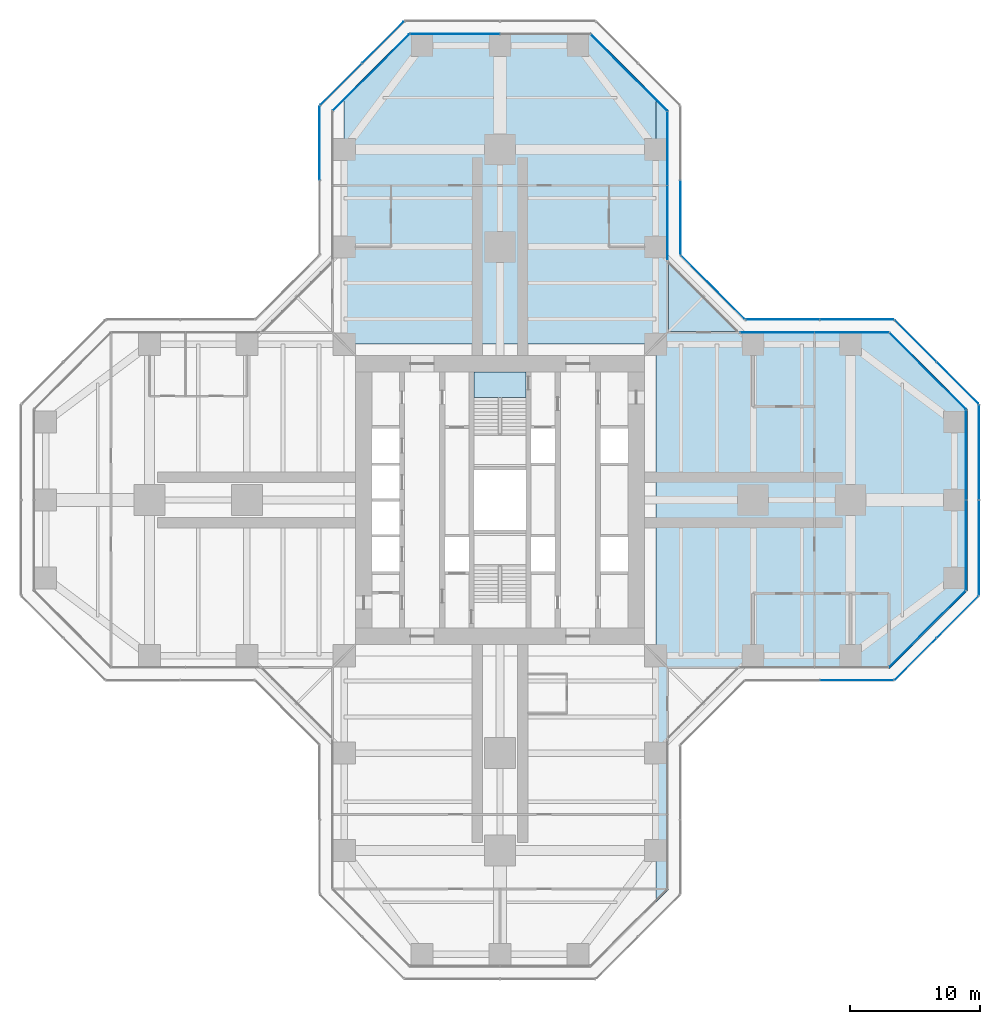
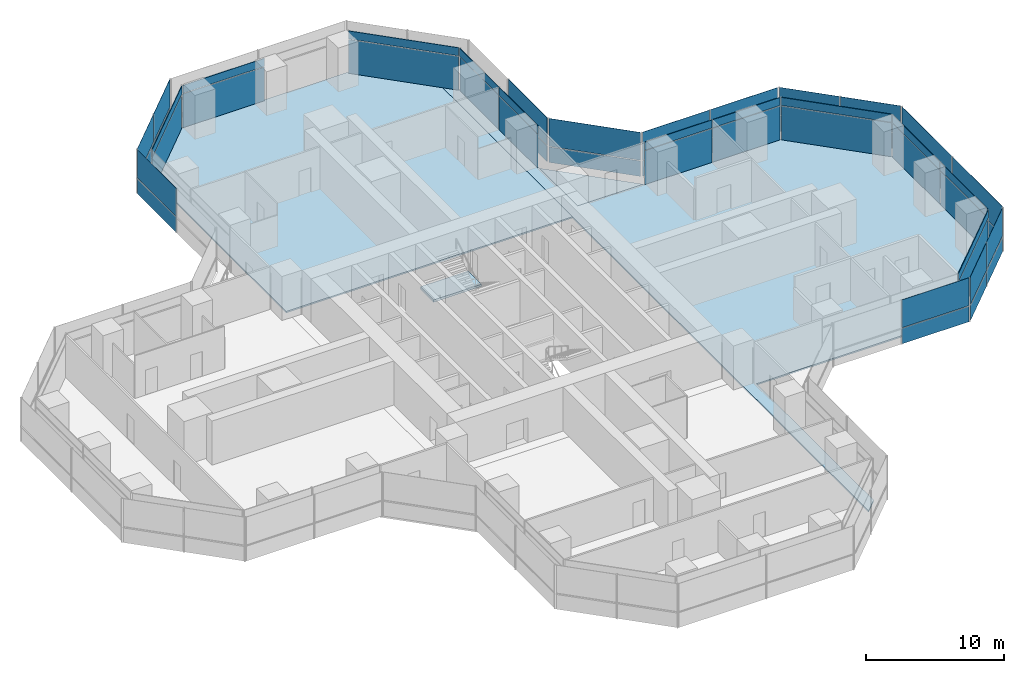
# One storey, part 16 of 22: 50 plates, 4 slabs, 18 elements without a shape of their own.
"""IFC4 building model written with IfcOpenShell, lengths in metres."""

from ifc_helpers import new_model, si_unit, direction, frame, origin, origin_2d, place, context, subcontext, project, spatial, polyline, rectangle, outline, extrude, material, layer, layer_set, type_object, element, aggregate, save


model = new_model("IFC4")

# Units and contexts
model_context = context("Model", 3, precision=1e-05, world=origin(), true_north=direction((0.0, 1.0)))
body_context = subcontext(model_context, "Body", "Model", "MODEL_VIEW")
ifc_project = project(units=[si_unit("LENGTHUNIT", "METRE"), si_unit("AREAUNIT", "SQUARE_METRE"), si_unit("VOLUMEUNIT", "CUBIC_METRE"), si_unit("PLANEANGLEUNIT", "RADIAN"), si_unit("MASSUNIT", "GRAM", prefix="KILO")], contexts=[model_context])

# Site, building, storey
site_placement = place(None, origin())
site = spatial("IfcSite", under=ifc_project, at=site_placement, CompositionType="ELEMENT")
building_placement = place(site_placement, origin())
building = spatial("IfcBuilding", under=site, at=building_placement, Name="Mizan Broadcast Tower", CompositionType="ELEMENT")
storey_placement = place(building_placement, frame((0.0, 0.0, 86.39990234375)))
storey = spatial("IfcBuildingStorey", under=building, at=storey_placement, Name="L18", CompositionType="ELEMENT", Elevation=86.39990234375)

# Slabs
ifc_material_1 = material(Name="Concrete C32/40", Category="concrete")
ifc_layer_1 = layer(ifc_material_1, 0.1298828125)
ifc_layer_set_1 = layer_set([ifc_layer_1], Name="Concrete C32/40")
slab_type_1 = type_object("IfcSlabType", Name="COMPOSITE DECK SLAB 130", PredefinedType="FLOOR", material=ifc_layer_set_1)
slab_1_placement = place(storey_placement, frame((0.0, 0.0, -0.1298828125)))
element("IfcSlab", 1, at=slab_1_placement, inside=storey, type_object=slab_type_1, Name="Floor slab L18 east arm", PredefinedType="FLOOR", context=body_context, shape_type="SweptSolid", body=[
    extrude(outline(polyline([(12.0, -31.0), (13.0, -30.0), (13.0, -13.0), (30.0, -13.0), (36.0, -7.0), (36.0, 7.0), (30.0, 13.0), (13.0, 13.0), (13.0, 30.0), (12.0, 31.0), (12.0, -31.0)])), origin(), (0.0, 0.0, 1.0), 0.1298828125),
])
slab_2_placement = place(storey_placement, frame((0.0, 0.0, -0.1298828125)))
element("IfcSlab", 2, at=slab_2_placement, inside=storey, type_object=slab_type_1, Name="Floor slab L18 north arm", PredefinedType="FLOOR", context=body_context, shape_type="SweptSolid", body=[
    extrude(outline(polyline([(-7.0, 36.0), (-12.0, 31.0), (-12.0, 12.0), (12.0, 12.0), (12.0, 31.0), (7.0, 36.0), (-7.0, 36.0)])), origin(), (0.0, 0.0, 1.0), 0.1298828125),
])

# Curtain wall, plate
ifc_material_2 = material(Name="Aluminium framed glazing", Category="aluminium")
curtain_wall_type_1 = type_object("IfcCurtainWallType", Name="INNER SKIN LOW ZONE", PredefinedType="USERDEFINED", material=ifc_material_2)
curtain_wall_1_placement = place(storey_placement, origin())
curtain_wall_1 = element("IfcCurtainWall", 3, at=curtain_wall_1_placement, inside=storey, type_object=curtain_wall_type_1, Name="Inner skin low zone L18 E chamfer", ObjectType="INNER SKIN LOW ZONE", PredefinedType="USERDEFINED")
ifc_material_3 = material(Name="Double glazing, clear low-e", Category="glass")
ifc_layer_2 = layer(ifc_material_3, 0.028076171875)
ifc_layer_set_2 = layer_set([ifc_layer_2], Name="Double glazing, clear low-e")
plate_type_1 = type_object("IfcPlateType", Name="INNER SKIN GLAZING UNIT", PredefinedType="CURTAIN_PANEL", material=ifc_layer_set_2)
plate_1_placement = place(storey_placement, frame((32.92919921875, -9.92919921875, 0.0), z_axis=(0.0, 0.0, 1.0), x_axis=(0.707106781187, 0.707106781187, 0.0)))
plate_1 = element("IfcPlate", 4, at=plate_1_placement, type_object=plate_type_1, Name="Inner skin low zone L18 E chamfer panel 1.1", PredefinedType="CURTAIN_PANEL", context=body_context, shape_type="SweptSolid", body=[
    extrude(rectangle(XDim=8.282470703125, YDim=0.028076171875, at=origin_2d()), origin(), (0.0, 0.0, 1.0), 3.0),
])

# Curtain wall, plates
curtain_wall_2_placement = place(storey_placement, origin())
curtain_wall_2 = element("IfcCurtainWall", 5, at=curtain_wall_2_placement, inside=storey, type_object=curtain_wall_type_1, Name="Inner skin low zone L18 E end", ObjectType="INNER SKIN LOW ZONE", PredefinedType="USERDEFINED")
plate_2_placement = place(storey_placement, frame((35.89990234375, -3.46435546875, 0.0), z_axis=(0.0, 0.0, 1.0), x_axis=(0.0, 1.0, 0.0)))
plate_2 = element("IfcPlate", 6, at=plate_2_placement, type_object=plate_type_1, Name="Inner skin low zone L18 E end panel 1.1", PredefinedType="CURTAIN_PANEL", context=body_context, shape_type="SweptSolid", body=[
    extrude(rectangle(XDim=6.86865234375, YDim=0.028076171875, at=origin_2d()), origin(), (0.0, 0.0, 1.0), 3.0),
])
plate_3_placement = place(storey_placement, frame((35.89990234375, 3.46435546875, 0.0), z_axis=(0.0, 0.0, 1.0), x_axis=(0.0, 1.0, 0.0)))
plate_3 = element("IfcPlate", 7, at=plate_3_placement, type_object=plate_type_1, Name="Inner skin low zone L18 E end panel 2.1", PredefinedType="CURTAIN_PANEL", context=body_context, shape_type="SweptSolid", body=[
    extrude(rectangle(XDim=6.86865234375, YDim=0.028076171875, at=origin_2d()), origin(), (0.0, 0.0, 1.0), 3.0),
])

# Curtain wall, plate
curtain_wall_3_placement = place(storey_placement, origin())
curtain_wall_3 = element("IfcCurtainWall", 8, at=curtain_wall_3_placement, inside=storey, type_object=curtain_wall_type_1, Name="Inner skin low zone L18 E chamfer", ObjectType="INNER SKIN LOW ZONE", PredefinedType="USERDEFINED")
plate_4_placement = place(storey_placement, frame((32.92919921875, 9.92919921875, 0.0), z_axis=(0.0, 0.0, 1.0), x_axis=(-0.707106781187, 0.707106781187, 0.0)))
plate_4 = element("IfcPlate", 9, at=plate_4_placement, type_object=plate_type_1, Name="Inner skin low zone L18 E chamfer panel 1.1", PredefinedType="CURTAIN_PANEL", context=body_context, shape_type="SweptSolid", body=[
    extrude(rectangle(XDim=8.282470703125, YDim=0.028076171875, at=origin_2d()), origin(), (0.0, 0.0, 1.0), 3.0),
])

# Curtain wall, plates
curtain_wall_4_placement = place(storey_placement, origin())
curtain_wall_4 = element("IfcCurtainWall", 10, at=curtain_wall_4_placement, inside=storey, type_object=curtain_wall_type_1, Name="Inner skin low zone L18 E side", ObjectType="INNER SKIN LOW ZONE", PredefinedType="USERDEFINED")
plate_5_placement = place(storey_placement, frame((27.078857421875, 12.89990234375, 0.0), z_axis=(0.0, 0.0, 1.0), x_axis=(-1.0, 0.0, 0.0)))
plate_5 = element("IfcPlate", 11, at=plate_5_placement, type_object=plate_type_1, Name="Inner skin low zone L18 E side panel 1.1", PredefinedType="CURTAIN_PANEL", context=body_context, shape_type="SweptSolid", body=[
    extrude(rectangle(XDim=5.639404296875, YDim=0.028076171875, at=origin_2d()), origin(), (0.0, 0.0, 1.0), 3.0),
])
plate_6_placement = place(storey_placement, frame((21.379638671875, 12.89990234375, 0.0), z_axis=(0.0, 0.0, 1.0), x_axis=(-1.0, 0.0, 0.0)))
plate_6 = element("IfcPlate", 12, at=plate_6_placement, type_object=plate_type_1, Name="Inner skin low zone L18 E side panel 2.1", PredefinedType="CURTAIN_PANEL", context=body_context, shape_type="SweptSolid", body=[
    extrude(rectangle(XDim=5.639404296875, YDim=0.028076171875, at=origin_2d()), origin(), (0.0, 0.0, 1.0), 3.0),
])

curtain_wall_5_placement = place(storey_placement, origin())
curtain_wall_5 = element("IfcCurtainWall", 13, at=curtain_wall_5_placement, inside=storey, type_object=curtain_wall_type_1, Name="Inner skin low zone L18 N side", ObjectType="INNER SKIN LOW ZONE", PredefinedType="USERDEFINED")
plate_7_placement = place(storey_placement, frame((12.89990234375, 21.379638671875, 0.0), z_axis=(0.0, 0.0, 1.0), x_axis=(0.0, 1.0, 0.0)))
plate_7 = element("IfcPlate", 14, at=plate_7_placement, type_object=plate_type_1, Name="Inner skin low zone L18 N side panel 1.1", PredefinedType="CURTAIN_PANEL", context=body_context, shape_type="SweptSolid", body=[
    extrude(rectangle(XDim=5.639404296875, YDim=0.028076171875, at=origin_2d()), origin(), (0.0, 0.0, 1.0), 3.0),
])
plate_8_placement = place(storey_placement, frame((12.89990234375, 27.078857421875, 0.0), z_axis=(0.0, 0.0, 1.0), x_axis=(0.0, 1.0, 0.0)))
plate_8 = element("IfcPlate", 15, at=plate_8_placement, type_object=plate_type_1, Name="Inner skin low zone L18 N side panel 2.1", PredefinedType="CURTAIN_PANEL", context=body_context, shape_type="SweptSolid", body=[
    extrude(rectangle(XDim=5.639404296875, YDim=0.028076171875, at=origin_2d()), origin(), (0.0, 0.0, 1.0), 3.0),
])

# Curtain wall, plate
curtain_wall_6_placement = place(storey_placement, origin())
curtain_wall_6 = element("IfcCurtainWall", 16, at=curtain_wall_6_placement, inside=storey, type_object=curtain_wall_type_1, Name="Inner skin low zone L18 N chamfer", ObjectType="INNER SKIN LOW ZONE", PredefinedType="USERDEFINED")
plate_9_placement = place(storey_placement, frame((9.92919921875, 32.92919921875, 0.0), z_axis=(0.0, 0.0, 1.0), x_axis=(-0.707106781187, 0.707106781187, 0.0)))
plate_9 = element("IfcPlate", 17, at=plate_9_placement, type_object=plate_type_1, Name="Inner skin low zone L18 N chamfer panel 1.1", PredefinedType="CURTAIN_PANEL", context=body_context, shape_type="SweptSolid", body=[
    extrude(rectangle(XDim=8.282470703125, YDim=0.028076171875, at=origin_2d()), origin(), (0.0, 0.0, 1.0), 3.0),
])

curtain_wall_7_placement = place(storey_placement, origin())
curtain_wall_7 = element("IfcCurtainWall", 18, at=curtain_wall_7_placement, inside=storey, type_object=curtain_wall_type_1, Name="Inner skin low zone L18 N end", ObjectType="INNER SKIN LOW ZONE", PredefinedType="USERDEFINED")
plate_10_placement = place(storey_placement, frame((-3.46435546875, 35.89990234375, 0.0), z_axis=(0.0, 0.0, 1.0), x_axis=(-1.0, 0.0, 0.0)))
plate_10 = element("IfcPlate", 19, at=plate_10_placement, type_object=plate_type_1, Name="Inner skin low zone L18 N end panel 2.1", PredefinedType="CURTAIN_PANEL", context=body_context, shape_type="SweptSolid", body=[
    extrude(rectangle(XDim=6.86865234375, YDim=0.028076171875, at=origin_2d()), origin(), (0.0, 0.0, 1.0), 3.0),
])

curtain_wall_8_placement = place(storey_placement, origin())
curtain_wall_8 = element("IfcCurtainWall", 20, at=curtain_wall_8_placement, inside=storey, type_object=curtain_wall_type_1, Name="Inner skin low zone L18 N chamfer", ObjectType="INNER SKIN LOW ZONE", PredefinedType="USERDEFINED")
plate_11_placement = place(storey_placement, frame((-9.92919921875, 32.92919921875, 0.0), z_axis=(0.0, 0.0, 1.0), x_axis=(-0.707106781187, -0.707106781187, 0.0)))
plate_11 = element("IfcPlate", 21, at=plate_11_placement, type_object=plate_type_1, Name="Inner skin low zone L18 N chamfer panel 1.1", PredefinedType="CURTAIN_PANEL", context=body_context, shape_type="SweptSolid", body=[
    extrude(rectangle(XDim=8.282470703125, YDim=0.028076171875, at=origin_2d()), origin(), (0.0, 0.0, 1.0), 3.0),
])

# Plate
ifc_material_4 = material(Name="Insulated aluminium spandrel panel, pale anodised", Category="aluminium")
ifc_layer_3 = layer(ifc_material_4, 0.050048828125)
ifc_layer_set_3 = layer_set([ifc_layer_3], Name="Insulated aluminium spandrel panel, pale anodised")
plate_type_2 = type_object("IfcPlateType", Name="INNER SKIN SPANDREL PANEL", PredefinedType="CURTAIN_PANEL", material=ifc_layer_set_3)
plate_12_placement = place(storey_placement, frame((32.92919921875, -9.92919921875, 3.06005859375), z_axis=(0.0, 0.0, 1.0), x_axis=(0.707106781187, 0.707106781187, 0.0)))
plate_12 = element("IfcPlate", 22, at=plate_12_placement, type_object=plate_type_2, Name="Inner skin low zone L18 E chamfer panel 1.2", PredefinedType="CURTAIN_PANEL", context=body_context, shape_type="SweptSolid", body=[
    extrude(rectangle(XDim=8.282470703125, YDim=0.050048828125, at=origin_2d()), origin(), (0.0, 0.0, 1.0), 0.7099609375),
])

aggregate(curtain_wall_1, [plate_1, plate_12])

plate_13_placement = place(storey_placement, frame((35.89990234375, -3.46435546875, 3.06005859375), z_axis=(0.0, 0.0, 1.0), x_axis=(0.0, 1.0, 0.0)))
plate_13 = element("IfcPlate", 23, at=plate_13_placement, type_object=plate_type_2, Name="Inner skin low zone L18 E end panel 1.2", PredefinedType="CURTAIN_PANEL", context=body_context, shape_type="SweptSolid", body=[
    extrude(rectangle(XDim=6.86865234375, YDim=0.050048828125, at=origin_2d()), origin(), (0.0, 0.0, 1.0), 0.7099609375),
])

plate_14_placement = place(storey_placement, frame((35.89990234375, 3.46435546875, 3.06005859375), z_axis=(0.0, 0.0, 1.0), x_axis=(0.0, 1.0, 0.0)))
plate_14 = element("IfcPlate", 24, at=plate_14_placement, type_object=plate_type_2, Name="Inner skin low zone L18 E end panel 2.2", PredefinedType="CURTAIN_PANEL", context=body_context, shape_type="SweptSolid", body=[
    extrude(rectangle(XDim=6.86865234375, YDim=0.050048828125, at=origin_2d()), origin(), (0.0, 0.0, 1.0), 0.7099609375),
])

aggregate(curtain_wall_2, [plate_2, plate_13, plate_3, plate_14])

plate_15_placement = place(storey_placement, frame((32.92919921875, 9.92919921875, 3.06005859375), z_axis=(0.0, 0.0, 1.0), x_axis=(-0.707106781187, 0.707106781187, 0.0)))
plate_15 = element("IfcPlate", 25, at=plate_15_placement, type_object=plate_type_2, Name="Inner skin low zone L18 E chamfer panel 1.2", PredefinedType="CURTAIN_PANEL", context=body_context, shape_type="SweptSolid", body=[
    extrude(rectangle(XDim=8.282470703125, YDim=0.050048828125, at=origin_2d()), origin(), (0.0, 0.0, 1.0), 0.7099609375),
])

aggregate(curtain_wall_3, [plate_4, plate_15])

plate_16_placement = place(storey_placement, frame((27.078857421875, 12.89990234375, 3.06005859375), z_axis=(0.0, 0.0, 1.0), x_axis=(-1.0, 0.0, 0.0)))
plate_16 = element("IfcPlate", 26, at=plate_16_placement, type_object=plate_type_2, Name="Inner skin low zone L18 E side panel 1.2", PredefinedType="CURTAIN_PANEL", context=body_context, shape_type="SweptSolid", body=[
    extrude(rectangle(XDim=5.639404296875, YDim=0.050048828125, at=origin_2d()), origin(), (0.0, 0.0, 1.0), 0.7099609375),
])

plate_17_placement = place(storey_placement, frame((21.379638671875, 12.89990234375, 3.06005859375), z_axis=(0.0, 0.0, 1.0), x_axis=(-1.0, 0.0, 0.0)))
plate_17 = element("IfcPlate", 27, at=plate_17_placement, type_object=plate_type_2, Name="Inner skin low zone L18 E side panel 2.2", PredefinedType="CURTAIN_PANEL", context=body_context, shape_type="SweptSolid", body=[
    extrude(rectangle(XDim=5.639404296875, YDim=0.050048828125, at=origin_2d()), origin(), (0.0, 0.0, 1.0), 0.7099609375),
])

aggregate(curtain_wall_4, [plate_5, plate_16, plate_6, plate_17])

plate_18_placement = place(storey_placement, frame((12.89990234375, 21.379638671875, 3.06005859375), z_axis=(0.0, 0.0, 1.0), x_axis=(0.0, 1.0, 0.0)))
plate_18 = element("IfcPlate", 28, at=plate_18_placement, type_object=plate_type_2, Name="Inner skin low zone L18 N side panel 1.2", PredefinedType="CURTAIN_PANEL", context=body_context, shape_type="SweptSolid", body=[
    extrude(rectangle(XDim=5.639404296875, YDim=0.050048828125, at=origin_2d()), origin(), (0.0, 0.0, 1.0), 0.7099609375),
])

plate_19_placement = place(storey_placement, frame((12.89990234375, 27.078857421875, 3.06005859375), z_axis=(0.0, 0.0, 1.0), x_axis=(0.0, 1.0, 0.0)))
plate_19 = element("IfcPlate", 29, at=plate_19_placement, type_object=plate_type_2, Name="Inner skin low zone L18 N side panel 2.2", PredefinedType="CURTAIN_PANEL", context=body_context, shape_type="SweptSolid", body=[
    extrude(rectangle(XDim=5.639404296875, YDim=0.050048828125, at=origin_2d()), origin(), (0.0, 0.0, 1.0), 0.7099609375),
])

aggregate(curtain_wall_5, [plate_7, plate_18, plate_8, plate_19])

plate_20_placement = place(storey_placement, frame((9.92919921875, 32.92919921875, 3.06005859375), z_axis=(0.0, 0.0, 1.0), x_axis=(-0.707106781187, 0.707106781187, 0.0)))
plate_20 = element("IfcPlate", 30, at=plate_20_placement, type_object=plate_type_2, Name="Inner skin low zone L18 N chamfer panel 1.2", PredefinedType="CURTAIN_PANEL", context=body_context, shape_type="SweptSolid", body=[
    extrude(rectangle(XDim=8.282470703125, YDim=0.050048828125, at=origin_2d()), origin(), (0.0, 0.0, 1.0), 0.7099609375),
])

aggregate(curtain_wall_6, [plate_9, plate_20])

plate_21_placement = place(storey_placement, frame((-3.46435546875, 35.89990234375, 3.06005859375), z_axis=(0.0, 0.0, 1.0), x_axis=(-1.0, 0.0, 0.0)))
plate_21 = element("IfcPlate", 31, at=plate_21_placement, type_object=plate_type_2, Name="Inner skin low zone L18 N end panel 2.2", PredefinedType="CURTAIN_PANEL", context=body_context, shape_type="SweptSolid", body=[
    extrude(rectangle(XDim=6.86865234375, YDim=0.050048828125, at=origin_2d()), origin(), (0.0, 0.0, 1.0), 0.7099609375),
])

aggregate(curtain_wall_7, [plate_10, plate_21])

plate_22_placement = place(storey_placement, frame((-9.92919921875, 32.92919921875, 3.06005859375), z_axis=(0.0, 0.0, 1.0), x_axis=(-0.707106781187, -0.707106781187, 0.0)))
plate_22 = element("IfcPlate", 32, at=plate_22_placement, type_object=plate_type_2, Name="Inner skin low zone L18 N chamfer panel 1.2", PredefinedType="CURTAIN_PANEL", context=body_context, shape_type="SweptSolid", body=[
    extrude(rectangle(XDim=8.282470703125, YDim=0.050048828125, at=origin_2d()), origin(), (0.0, 0.0, 1.0), 0.7099609375),
])

aggregate(curtain_wall_8, [plate_11, plate_22])

# Curtain wall, plates
ifc_material_5 = material(Name="Aluminium framed glazing", Category="aluminium")
curtain_wall_type_2 = type_object("IfcCurtainWallType", Name="OUTER SKIN", PredefinedType="USERDEFINED", material=ifc_material_5)
curtain_wall_9_placement = place(storey_placement, origin())
curtain_wall_9 = element("IfcCurtainWall", 33, at=curtain_wall_9_placement, inside=storey, type_object=curtain_wall_type_2, Name="Outer skin L18 E chamfer", ObjectType="OUTER SKIN", PredefinedType="USERDEFINED")
ifc_material_6 = material(Name="Laminated clear glass", Category="glass")
ifc_layer_4 = layer(ifc_material_6, 0.02001953125)
ifc_layer_set_4 = layer_set([ifc_layer_4], Name="Laminated clear glass")
plate_type_3 = type_object("IfcPlateType", Name="OUTER SKIN CLEAR GLASS", PredefinedType="CURTAIN_PANEL", material=ifc_layer_set_4)
plate_23_placement = place(storey_placement, frame((32.018798828125, -12.254150390625, 0.0), z_axis=(0.0, 0.0, 1.0), x_axis=(0.707106781187, 0.707106781187, 0.0)))
plate_23 = element("IfcPlate", 34, at=plate_23_placement, type_object=plate_type_3, Name="Outer skin L18 E chamfer panel 1.1", PredefinedType="CURTAIN_PANEL", context=body_context, shape_type="SweptSolid", body=[
    extrude(rectangle(XDim=4.495361328125, YDim=0.02001953125, at=origin_2d()), origin(), (0.0, 0.0, 1.0), 1.3701171875),
])
plate_24_placement = place(storey_placement, frame((32.018798828125, -12.254150390625, 1.43017578125), z_axis=(0.0, 0.0, 1.0), x_axis=(0.707106781187, 0.707106781187, 0.0)))
plate_24 = element("IfcPlate", 35, at=plate_24_placement, type_object=plate_type_3, Name="Outer skin L18 E chamfer panel 1.2", PredefinedType="CURTAIN_PANEL", context=body_context, shape_type="SweptSolid", body=[
    extrude(rectangle(XDim=4.495361328125, YDim=0.02001953125, at=origin_2d()), origin(), (0.0, 0.0, 1.0), 2.469970703125),
])

curtain_wall_10_placement = place(storey_placement, origin())
curtain_wall_10 = element("IfcCurtainWall", 36, at=curtain_wall_10_placement, inside=storey, type_object=curtain_wall_type_2, Name="Outer skin L18 E end", ObjectType="OUTER SKIN", PredefinedType="USERDEFINED")
plate_25_placement = place(storey_placement, frame((36.89990234375, -3.66650390625, 0.0), z_axis=(0.0, 0.0, 1.0), x_axis=(0.0, 1.0, 0.0)))
plate_25 = element("IfcPlate", 37, at=plate_25_placement, type_object=plate_type_3, Name="Outer skin L18 E end panel 1.1", PredefinedType="CURTAIN_PANEL", context=body_context, shape_type="SweptSolid", body=[
    extrude(rectangle(XDim=7.252685546875, YDim=0.02001953125, at=origin_2d()), origin(), (0.0, 0.0, 1.0), 1.3701171875),
])
plate_26_placement = place(storey_placement, frame((36.89990234375, -3.66650390625, 1.43017578125), z_axis=(0.0, 0.0, 1.0), x_axis=(0.0, 1.0, 0.0)))
plate_26 = element("IfcPlate", 38, at=plate_26_placement, type_object=plate_type_3, Name="Outer skin L18 E end panel 1.2", PredefinedType="CURTAIN_PANEL", context=body_context, shape_type="SweptSolid", body=[
    extrude(rectangle(XDim=7.252685546875, YDim=0.02001953125, at=origin_2d()), origin(), (0.0, 0.0, 1.0), 2.469970703125),
])

curtain_wall_11_placement = place(storey_placement, origin())
curtain_wall_11 = element("IfcCurtainWall", 39, at=curtain_wall_11_placement, inside=storey, type_object=curtain_wall_type_2, Name="Outer skin L18 E chamfer", ObjectType="OUTER SKIN", PredefinedType="USERDEFINED")
plate_27_placement = place(storey_placement, frame((35.254150390625, 9.018798828125, 0.0), z_axis=(0.0, 0.0, 1.0), x_axis=(-0.707106781187, 0.707106781187, 0.0)))
plate_27 = element("IfcPlate", 40, at=plate_27_placement, type_object=plate_type_3, Name="Outer skin L18 E chamfer panel 1.1", PredefinedType="CURTAIN_PANEL", context=body_context, shape_type="SweptSolid", body=[
    extrude(rectangle(XDim=4.495361328125, YDim=0.02001953125, at=origin_2d()), origin(), (0.0, 0.0, 1.0), 1.3701171875),
])
plate_28_placement = place(storey_placement, frame((35.254150390625, 9.018798828125, 1.43017578125), z_axis=(0.0, 0.0, 1.0), x_axis=(-0.707106781187, 0.707106781187, 0.0)))
plate_28 = element("IfcPlate", 41, at=plate_28_placement, type_object=plate_type_3, Name="Outer skin L18 E chamfer panel 1.2", PredefinedType="CURTAIN_PANEL", context=body_context, shape_type="SweptSolid", body=[
    extrude(rectangle(XDim=4.495361328125, YDim=0.02001953125, at=origin_2d()), origin(), (0.0, 0.0, 1.0), 2.469970703125),
])

curtain_wall_12_placement = place(storey_placement, origin())
curtain_wall_12 = element("IfcCurtainWall", 42, at=curtain_wall_12_placement, inside=storey, type_object=curtain_wall_type_2, Name="Outer skin L18 E side", ObjectType="OUTER SKIN", PredefinedType="USERDEFINED")
plate_29_placement = place(storey_placement, frame((27.477783203125, 13.89990234375, 0.0), z_axis=(0.0, 0.0, 1.0), x_axis=(-1.0, 0.0, 0.0)))
plate_29 = element("IfcPlate", 43, at=plate_29_placement, type_object=plate_type_3, Name="Outer skin L18 E side panel 1.1", PredefinedType="CURTAIN_PANEL", context=body_context, shape_type="SweptSolid", body=[
    extrude(rectangle(XDim=5.6298828125, YDim=0.02001953125, at=origin_2d()), origin(), (0.0, 0.0, 1.0), 1.3701171875),
])
plate_30_placement = place(storey_placement, frame((27.477783203125, 13.89990234375, 1.43017578125), z_axis=(0.0, 0.0, 1.0), x_axis=(-1.0, 0.0, 0.0)))
plate_30 = element("IfcPlate", 44, at=plate_30_placement, type_object=plate_type_3, Name="Outer skin L18 E side panel 1.2", PredefinedType="CURTAIN_PANEL", context=body_context, shape_type="SweptSolid", body=[
    extrude(rectangle(XDim=5.6298828125, YDim=0.02001953125, at=origin_2d()), origin(), (0.0, 0.0, 1.0), 2.469970703125),
])
plate_31_placement = place(storey_placement, frame((21.767822265625, 13.89990234375, 0.0), z_axis=(0.0, 0.0, 1.0), x_axis=(-1.0, 0.0, 0.0)))
plate_31 = element("IfcPlate", 45, at=plate_31_placement, type_object=plate_type_3, Name="Outer skin L18 E side panel 2.1", PredefinedType="CURTAIN_PANEL", context=body_context, shape_type="SweptSolid", body=[
    extrude(rectangle(XDim=5.6298828125, YDim=0.02001953125, at=origin_2d()), origin(), (0.0, 0.0, 1.0), 1.3701171875),
])
plate_32_placement = place(storey_placement, frame((21.767822265625, 13.89990234375, 1.43017578125), z_axis=(0.0, 0.0, 1.0), x_axis=(-1.0, 0.0, 0.0)))
plate_32 = element("IfcPlate", 46, at=plate_32_placement, type_object=plate_type_3, Name="Outer skin L18 E side panel 2.2", PredefinedType="CURTAIN_PANEL", context=body_context, shape_type="SweptSolid", body=[
    extrude(rectangle(XDim=5.6298828125, YDim=0.02001953125, at=origin_2d()), origin(), (0.0, 0.0, 1.0), 2.469970703125),
])
aggregate(curtain_wall_12, [plate_29, plate_30, plate_31, plate_32])

curtain_wall_13_placement = place(storey_placement, origin())
curtain_wall_13 = element("IfcCurtainWall", 47, at=curtain_wall_13_placement, inside=storey, type_object=curtain_wall_type_2, Name="Outer skin L18 E chamfer", ObjectType="OUTER SKIN", PredefinedType="USERDEFINED")
plate_33_placement = place(storey_placement, frame((16.386474609375, 16.386474609375, 0.0), z_axis=(0.0, 0.0, 1.0), x_axis=(-0.707106781187, 0.707106781187, 0.0)))
plate_33 = element("IfcPlate", 48, at=plate_33_placement, type_object=plate_type_3, Name="Outer skin L18 E chamfer panel 1.1", PredefinedType="CURTAIN_PANEL", context=body_context, shape_type="SweptSolid", body=[
    extrude(rectangle(XDim=6.87255859375, YDim=0.02001953125, at=origin_2d()), origin(), (0.0, 0.0, 1.0), 1.3701171875),
])
plate_34_placement = place(storey_placement, frame((16.386474609375, 16.386474609375, 1.43017578125), z_axis=(0.0, 0.0, 1.0), x_axis=(-0.707106781187, 0.707106781187, 0.0)))
plate_34 = element("IfcPlate", 49, at=plate_34_placement, type_object=plate_type_3, Name="Outer skin L18 E chamfer panel 1.2", PredefinedType="CURTAIN_PANEL", context=body_context, shape_type="SweptSolid", body=[
    extrude(rectangle(XDim=6.87255859375, YDim=0.02001953125, at=origin_2d()), origin(), (0.0, 0.0, 1.0), 2.469970703125),
])
aggregate(curtain_wall_13, [plate_33, plate_34])

curtain_wall_14_placement = place(storey_placement, origin())
curtain_wall_14 = element("IfcCurtainWall", 50, at=curtain_wall_14_placement, inside=storey, type_object=curtain_wall_type_2, Name="Outer skin L18 N side", ObjectType="OUTER SKIN", PredefinedType="USERDEFINED")
plate_35_placement = place(storey_placement, frame((13.89990234375, 21.767822265625, 0.0), z_axis=(0.0, 0.0, 1.0), x_axis=(0.0, 1.0, 0.0)))
plate_35 = element("IfcPlate", 51, at=plate_35_placement, type_object=plate_type_3, Name="Outer skin L18 N side panel 1.1", PredefinedType="CURTAIN_PANEL", context=body_context, shape_type="SweptSolid", body=[
    extrude(rectangle(XDim=5.6298828125, YDim=0.02001953125, at=origin_2d()), origin(), (0.0, 0.0, 1.0), 1.3701171875),
])
plate_36_placement = place(storey_placement, frame((13.89990234375, 21.767822265625, 1.43017578125), z_axis=(0.0, 0.0, 1.0), x_axis=(0.0, 1.0, 0.0)))
plate_36 = element("IfcPlate", 52, at=plate_36_placement, type_object=plate_type_3, Name="Outer skin L18 N side panel 1.2", PredefinedType="CURTAIN_PANEL", context=body_context, shape_type="SweptSolid", body=[
    extrude(rectangle(XDim=5.6298828125, YDim=0.02001953125, at=origin_2d()), origin(), (0.0, 0.0, 1.0), 2.469970703125),
])
aggregate(curtain_wall_14, [plate_35, plate_36])

curtain_wall_15_placement = place(storey_placement, origin())
curtain_wall_15 = element("IfcCurtainWall", 53, at=curtain_wall_15_placement, inside=storey, type_object=curtain_wall_type_2, Name="Outer skin L18 N chamfer", ObjectType="OUTER SKIN", PredefinedType="USERDEFINED")
plate_37_placement = place(storey_placement, frame((-9.018798828125, 35.254150390625, 0.0), z_axis=(0.0, 0.0, 1.0), x_axis=(-0.707106781187, -0.707106781187, 0.0)))
plate_37 = element("IfcPlate", 54, at=plate_37_placement, type_object=plate_type_3, Name="Outer skin L18 N chamfer panel 1.1", PredefinedType="CURTAIN_PANEL", context=body_context, shape_type="SweptSolid", body=[
    extrude(rectangle(XDim=4.495361328125, YDim=0.02001953125, at=origin_2d()), origin(), (0.0, 0.0, 1.0), 1.3701171875),
])
plate_38_placement = place(storey_placement, frame((-9.018798828125, 35.254150390625, 1.43017578125), z_axis=(0.0, 0.0, 1.0), x_axis=(-0.707106781187, -0.707106781187, 0.0)))
plate_38 = element("IfcPlate", 55, at=plate_38_placement, type_object=plate_type_3, Name="Outer skin L18 N chamfer panel 1.2", PredefinedType="CURTAIN_PANEL", context=body_context, shape_type="SweptSolid", body=[
    extrude(rectangle(XDim=4.495361328125, YDim=0.02001953125, at=origin_2d()), origin(), (0.0, 0.0, 1.0), 2.469970703125),
])

curtain_wall_16_placement = place(storey_placement, origin())
curtain_wall_16 = element("IfcCurtainWall", 56, at=curtain_wall_16_placement, inside=storey, type_object=curtain_wall_type_2, Name="Outer skin L18 N side", ObjectType="OUTER SKIN", PredefinedType="USERDEFINED")
plate_39_placement = place(storey_placement, frame((-13.89990234375, 27.477783203125, 0.0), z_axis=(0.0, 0.0, 1.0), x_axis=(0.0, -1.0, 0.0)))
plate_39 = element("IfcPlate", 57, at=plate_39_placement, type_object=plate_type_3, Name="Outer skin L18 N side panel 1.1", PredefinedType="CURTAIN_PANEL", context=body_context, shape_type="SweptSolid", body=[
    extrude(rectangle(XDim=5.6298828125, YDim=0.02001953125, at=origin_2d()), origin(), (0.0, 0.0, 1.0), 1.3701171875),
])
plate_40_placement = place(storey_placement, frame((-13.89990234375, 27.477783203125, 1.43017578125), z_axis=(0.0, 0.0, 1.0), x_axis=(0.0, -1.0, 0.0)))
plate_40 = element("IfcPlate", 58, at=plate_40_placement, type_object=plate_type_3, Name="Outer skin L18 N side panel 1.2", PredefinedType="CURTAIN_PANEL", context=body_context, shape_type="SweptSolid", body=[
    extrude(rectangle(XDim=5.6298828125, YDim=0.02001953125, at=origin_2d()), origin(), (0.0, 0.0, 1.0), 2.469970703125),
])
aggregate(curtain_wall_16, [plate_39, plate_40])

# Plate
ifc_material_7 = material(Name="Perforated aluminium, pale anodised", Category="aluminium")
ifc_layer_5 = layer(ifc_material_7, 0.011962890625)
ifc_layer_set_5 = layer_set([ifc_layer_5], Name="Perforated aluminium, pale anodised")
plate_type_4 = type_object("IfcPlateType", Name="OUTER SKIN PERFORATED SCREEN", PredefinedType="USERDEFINED", material=ifc_layer_set_5)
plate_41_placement = place(storey_placement, frame((35.254150390625, -9.018798828125, 0.0), z_axis=(0.0, 0.0, 1.0), x_axis=(0.707106781187, 0.707106781187, 0.0)))
plate_41 = element("IfcPlate", 59, at=plate_41_placement, type_object=plate_type_4, Name="Outer skin L18 E chamfer panel 2.1", ObjectType="SCREEN", PredefinedType="USERDEFINED", context=body_context, shape_type="SweptSolid", body=[
    extrude(rectangle(XDim=4.495361328125, YDim=0.011962890625, at=origin_2d()), origin(), (0.0, 0.0, 1.0), 1.3701171875),
])

plate_42_placement = place(storey_placement, frame((35.254150390625, -9.018798828125, 1.43017578125), z_axis=(0.0, 0.0, 1.0), x_axis=(0.707106781187, 0.707106781187, 0.0)))
plate_42 = element("IfcPlate", 60, at=plate_42_placement, type_object=plate_type_4, Name="Outer skin L18 E chamfer panel 2.2", ObjectType="SCREEN", PredefinedType="USERDEFINED", context=body_context, shape_type="SweptSolid", body=[
    extrude(rectangle(XDim=4.495361328125, YDim=0.011962890625, at=origin_2d()), origin(), (0.0, 0.0, 1.0), 2.469970703125),
])

aggregate(curtain_wall_9, [plate_23, plate_24, plate_41, plate_42])

plate_43_placement = place(storey_placement, frame((36.89990234375, 3.66650390625, 0.0), z_axis=(0.0, 0.0, 1.0), x_axis=(0.0, 1.0, 0.0)))
plate_43 = element("IfcPlate", 61, at=plate_43_placement, type_object=plate_type_4, Name="Outer skin L18 E end panel 2.1", ObjectType="SCREEN", PredefinedType="USERDEFINED", context=body_context, shape_type="SweptSolid", body=[
    extrude(rectangle(XDim=7.252685546875, YDim=0.011962890625, at=origin_2d()), origin(), (0.0, 0.0, 1.0), 1.3701171875),
])

plate_44_placement = place(storey_placement, frame((36.89990234375, 3.66650390625, 1.43017578125), z_axis=(0.0, 0.0, 1.0), x_axis=(0.0, 1.0, 0.0)))
plate_44 = element("IfcPlate", 62, at=plate_44_placement, type_object=plate_type_4, Name="Outer skin L18 E end panel 2.2", ObjectType="SCREEN", PredefinedType="USERDEFINED", context=body_context, shape_type="SweptSolid", body=[
    extrude(rectangle(XDim=7.252685546875, YDim=0.011962890625, at=origin_2d()), origin(), (0.0, 0.0, 1.0), 2.469970703125),
])

aggregate(curtain_wall_10, [plate_25, plate_26, plate_43, plate_44])

plate_45_placement = place(storey_placement, frame((32.018798828125, 12.254150390625, 0.0), z_axis=(0.0, 0.0, 1.0), x_axis=(-0.707106781187, 0.707106781187, 0.0)))
plate_45 = element("IfcPlate", 63, at=plate_45_placement, type_object=plate_type_4, Name="Outer skin L18 E chamfer panel 2.1", ObjectType="SCREEN", PredefinedType="USERDEFINED", context=body_context, shape_type="SweptSolid", body=[
    extrude(rectangle(XDim=4.495361328125, YDim=0.011962890625, at=origin_2d()), origin(), (0.0, 0.0, 1.0), 1.3701171875),
])

plate_46_placement = place(storey_placement, frame((32.018798828125, 12.254150390625, 1.43017578125), z_axis=(0.0, 0.0, 1.0), x_axis=(-0.707106781187, 0.707106781187, 0.0)))
plate_46 = element("IfcPlate", 64, at=plate_46_placement, type_object=plate_type_4, Name="Outer skin L18 E chamfer panel 2.2", ObjectType="SCREEN", PredefinedType="USERDEFINED", context=body_context, shape_type="SweptSolid", body=[
    extrude(rectangle(XDim=4.495361328125, YDim=0.011962890625, at=origin_2d()), origin(), (0.0, 0.0, 1.0), 2.469970703125),
])

aggregate(curtain_wall_11, [plate_27, plate_28, plate_45, plate_46])

plate_47_placement = place(storey_placement, frame((-12.254150390625, 32.018798828125, 0.0), z_axis=(0.0, 0.0, 1.0), x_axis=(-0.707106781187, -0.707106781187, 0.0)))
plate_47 = element("IfcPlate", 65, at=plate_47_placement, type_object=plate_type_4, Name="Outer skin L18 N chamfer panel 2.1", ObjectType="SCREEN", PredefinedType="USERDEFINED", context=body_context, shape_type="SweptSolid", body=[
    extrude(rectangle(XDim=4.495361328125, YDim=0.011962890625, at=origin_2d()), origin(), (0.0, 0.0, 1.0), 1.3701171875),
])

plate_48_placement = place(storey_placement, frame((-12.254150390625, 32.018798828125, 1.43017578125), z_axis=(0.0, 0.0, 1.0), x_axis=(-0.707106781187, -0.707106781187, 0.0)))
plate_48 = element("IfcPlate", 66, at=plate_48_placement, type_object=plate_type_4, Name="Outer skin L18 N chamfer panel 2.2", ObjectType="SCREEN", PredefinedType="USERDEFINED", context=body_context, shape_type="SweptSolid", body=[
    extrude(rectangle(XDim=4.495361328125, YDim=0.011962890625, at=origin_2d()), origin(), (0.0, 0.0, 1.0), 2.469970703125),
])

aggregate(curtain_wall_15, [plate_37, plate_38, plate_47, plate_48])

# Curtain wall, plates
curtain_wall_17_placement = place(storey_placement, origin())
curtain_wall_17 = element("IfcCurtainWall", 67, at=curtain_wall_17_placement, inside=storey, type_object=curtain_wall_type_2, Name="Outer skin L18 E side", ObjectType="OUTER SKIN", PredefinedType="USERDEFINED")
plate_49_placement = place(storey_placement, frame((27.477783203125, -13.89990234375, 0.0), z_axis=(0.0, 0.0, 1.0), x_axis=(1.0, 0.0, 0.0)))
plate_49 = element("IfcPlate", 68, at=plate_49_placement, type_object=plate_type_4, Name="Outer skin L18 E side panel 2.1", ObjectType="SCREEN", PredefinedType="USERDEFINED", context=body_context, shape_type="SweptSolid", body=[
    extrude(rectangle(XDim=5.6298828125, YDim=0.011962890625, at=origin_2d()), origin(), (0.0, 0.0, 1.0), 1.3701171875),
])
plate_50_placement = place(storey_placement, frame((27.477783203125, -13.89990234375, 1.43017578125), z_axis=(0.0, 0.0, 1.0), x_axis=(1.0, 0.0, 0.0)))
plate_50 = element("IfcPlate", 69, at=plate_50_placement, type_object=plate_type_4, Name="Outer skin L18 E side panel 2.2", ObjectType="SCREEN", PredefinedType="USERDEFINED", context=body_context, shape_type="SweptSolid", body=[
    extrude(rectangle(XDim=5.6298828125, YDim=0.011962890625, at=origin_2d()), origin(), (0.0, 0.0, 1.0), 2.469970703125),
])
aggregate(curtain_wall_17, [plate_49, plate_50])

# Stair, slab
ifc_material_8 = material(Name="Concrete C40/50", Category="concrete")
stair_type = type_object("IfcStairType", Name="EXIT STAIR", PredefinedType="HALF_TURN_STAIR", material=ifc_material_8)
stair_placement = place(storey_placement, origin())
stair = element("IfcStair", 70, at=stair_placement, inside=storey, type_object=stair_type, Name="Stair B L18", PredefinedType="HALF_TURN_STAIR")
ifc_material_9 = material(Name="Concrete C40/50", Category="concrete")
ifc_layer_6 = layer(ifc_material_9, 0.199951171875)
ifc_layer_set_6 = layer_set([ifc_layer_6], Name="Concrete C40/50")
slab_type_2 = type_object("IfcSlabType", Name="STAIR LANDING 200", PredefinedType="LANDING", material=ifc_layer_set_6)
slab_3_placement = place(storey_placement, frame((0.0, 0.0, -0.199951171875)))
slab_3 = element("IfcSlab", 71, at=slab_3_placement, type_object=slab_type_2, Name="B landing 1", PredefinedType="LANDING", context=body_context, shape_type="SweptSolid", body=[
    extrude(outline(polyline([(2.0, 9.85009765625), (2.0, 7.89990234375), (-2.0, 7.89990234375), (-2.0, 9.85009765625), (2.0, 9.85009765625)])), origin(), (0.0, 0.0, 1.0), 0.199951171875),
])
aggregate(stair, [slab_3])

# Slab
ifc_material_10 = material(Name="Concrete C32/40", Category="concrete")
ifc_layer_7 = layer(ifc_material_10, 0.1298828125)
ifc_layer_set_7 = layer_set([ifc_layer_7], Name="Concrete C32/40")
slab_type_3 = type_object("IfcSlabType", Name="WINTER GARDEN SLAB 130", PredefinedType="FLOOR", material=ifc_layer_set_7)
slab_4_placement = place(storey_placement, frame((0.0, 0.0, -0.1298828125)))
element("IfcSlab", 72, at=slab_4_placement, inside=storey, type_object=slab_type_3, Name="Winter garden slab L18 E", PredefinedType="FLOOR", context=body_context, shape_type="SweptSolid", body=[
    extrude(outline(polyline([(13.0, 13.0), (18.5, 13.0), (13.0, 18.5), (13.0, 13.0)])), origin(), (0.0, 0.0, 1.0), 0.1298828125),
])

save(model, "model.ifc")
